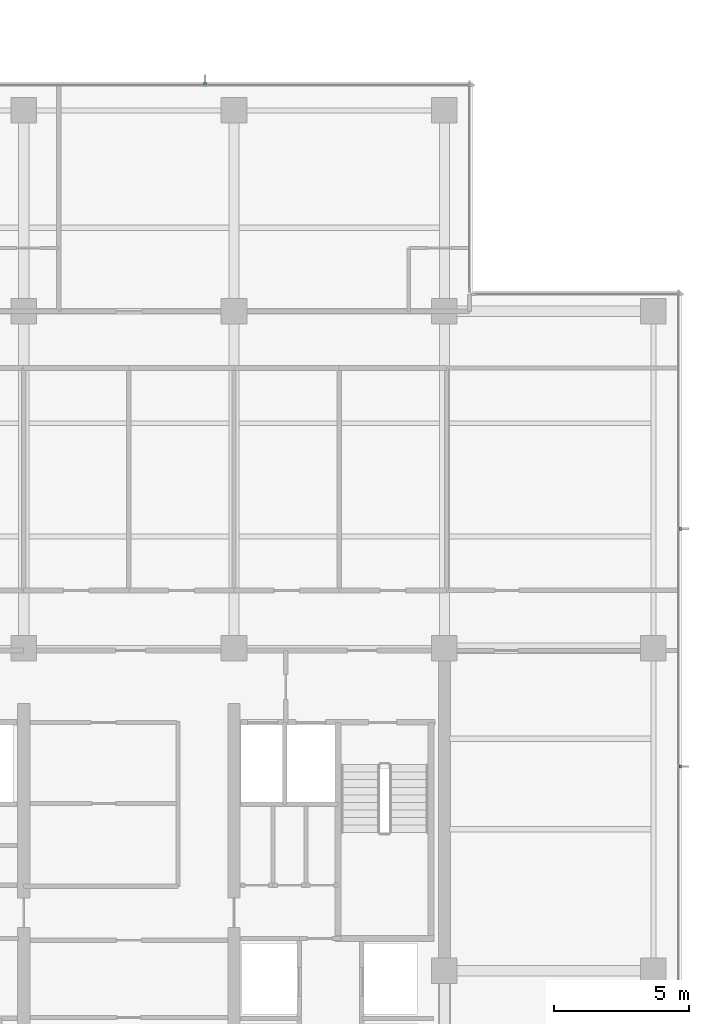
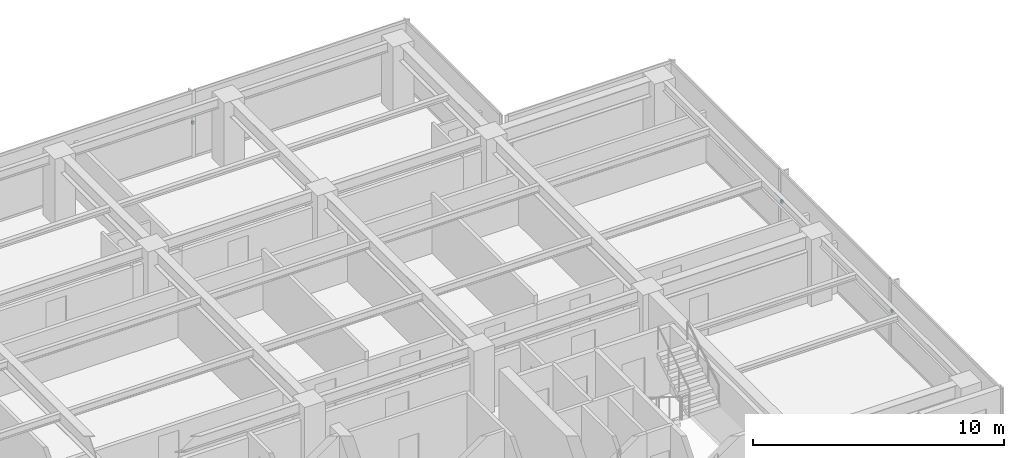
# One storey, part 12 of 14: 3 discrete accessories.
"""IFC4 building model written with IfcOpenShell, lengths in metres."""

from ifc_helpers import new_model, si_unit, direction, frame, origin, place, context, subcontext, project, spatial, polyline, outline, extrude, material, type_object, element, save


model = new_model("IFC4")

# Units and contexts
model_context = context("Model", 3, precision=1e-05, world=origin(), true_north=direction((0.0, 1.0)))
body_context = subcontext(model_context, "Body", "Model", "MODEL_VIEW")
ifc_project = project(units=[si_unit("LENGTHUNIT", "METRE"), si_unit("AREAUNIT", "SQUARE_METRE"), si_unit("VOLUMEUNIT", "CUBIC_METRE"), si_unit("PLANEANGLEUNIT", "RADIAN"), si_unit("MASSUNIT", "GRAM", prefix="KILO")], contexts=[model_context])

# Site, building, storey
site_placement = place(None, origin())
site = spatial("IfcSite", under=ifc_project, at=site_placement, CompositionType="ELEMENT")
building_placement = place(site_placement, origin())
building = spatial("IfcBuilding", under=site, at=building_placement, Name="Qalmaran Belvedere Hotel", CompositionType="ELEMENT")
storey_placement = place(building_placement, frame((0.0, 0.0, 217.89990234375)))
storey = spatial("IfcBuildingStorey", under=building, at=storey_placement, Name="L55", CompositionType="ELEMENT", Elevation=217.89990234375)

# Discrete accessories
ifc_material = material(Name="Stainless Steel 1.4401", Category="steel")
discrete_accessory_type = type_object("IfcDiscreteAccessoryType", Name="BRK-FIN-SS316", PredefinedType="BRACKET", material=ifc_material)
discrete_accessory_1_placement = place(storey_placement, frame((0.0, 0.0, 1.580078125)))
element("IfcDiscreteAccessory", 1, at=discrete_accessory_1_placement, inside=storey, type_object=discrete_accessory_type, Name="L55 Fin Bracket 1", PredefinedType="BRACKET", context=body_context, shape_type="SweptSolid", body=[
    extrude(outline(polyline([(53.4951171875, 16.061767578125), (53.58740234375, 16.061767578125), (53.58740234375, 16.171630859375), (53.4951171875, 16.171630859375), (53.4951171875, 16.061767578125)])), origin(), (0.0, 0.0, 1.0), 0.14013671875),
])
discrete_accessory_2_placement = place(storey_placement, frame((0.0, 0.0, 1.580078125)))
element("IfcDiscreteAccessory", 2, at=discrete_accessory_2_placement, inside=storey, type_object=discrete_accessory_type, Name="L55 Fin Bracket 2", PredefinedType="BRACKET", context=body_context, shape_type="SweptSolid", body=[
    extrude(outline(polyline([(53.4951171875, 24.87841796875), (53.58740234375, 24.87841796875), (53.58740234375, 24.98828125), (53.4951171875, 24.98828125), (53.4951171875, 24.87841796875)])), origin(), (0.0, 0.0, 1.0), 0.14013671875),
])
discrete_accessory_3_placement = place(storey_placement, frame((0.0, 0.0, 1.580078125)))
element("IfcDiscreteAccessory", 3, at=discrete_accessory_3_placement, inside=storey, type_object=discrete_accessory_type, Name="L55 Fin Bracket 1", PredefinedType="BRACKET", context=body_context, shape_type="SweptSolid", body=[
    extrude(outline(polyline([(35.97998046875, 41.39501953125), (35.97998046875, 41.487548828125), (35.8701171875, 41.487548828125), (35.8701171875, 41.39501953125), (35.97998046875, 41.39501953125)])), origin(), (0.0, 0.0, 1.0), 0.14013671875),
])

save(model, "model.ifc")
